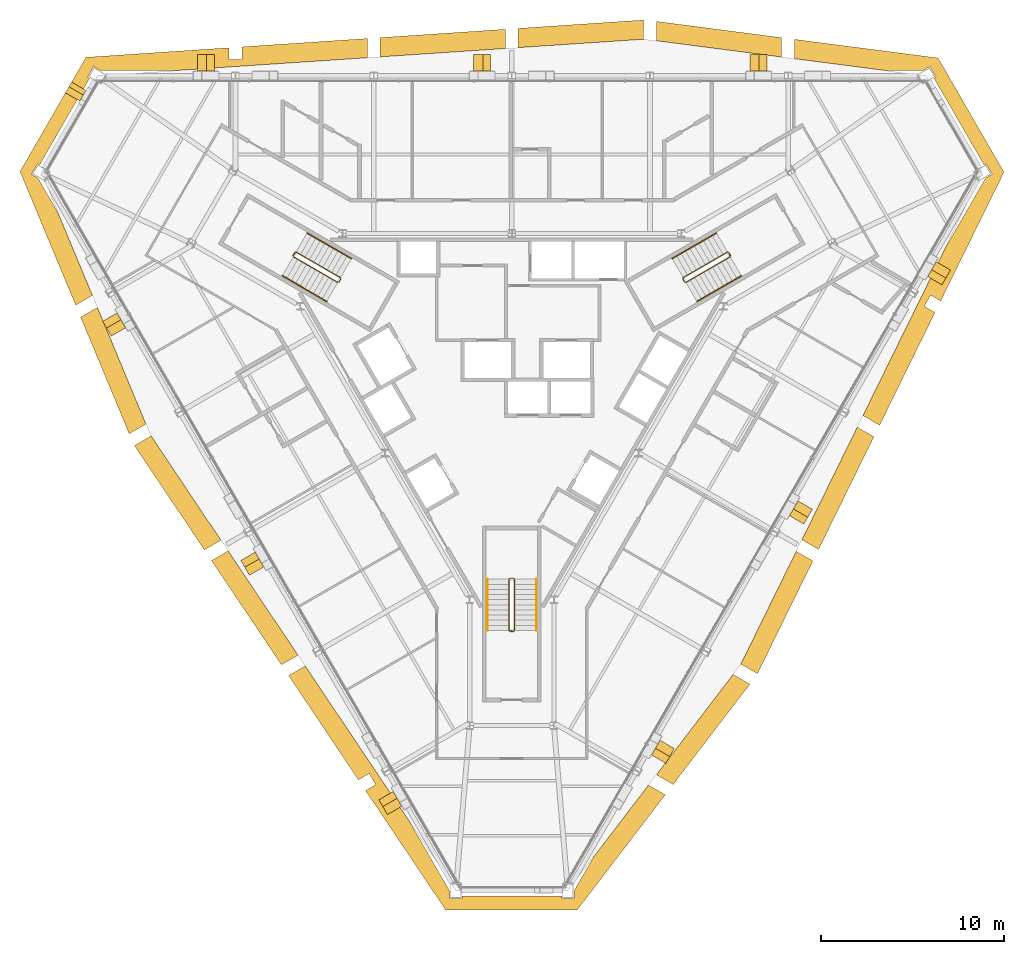
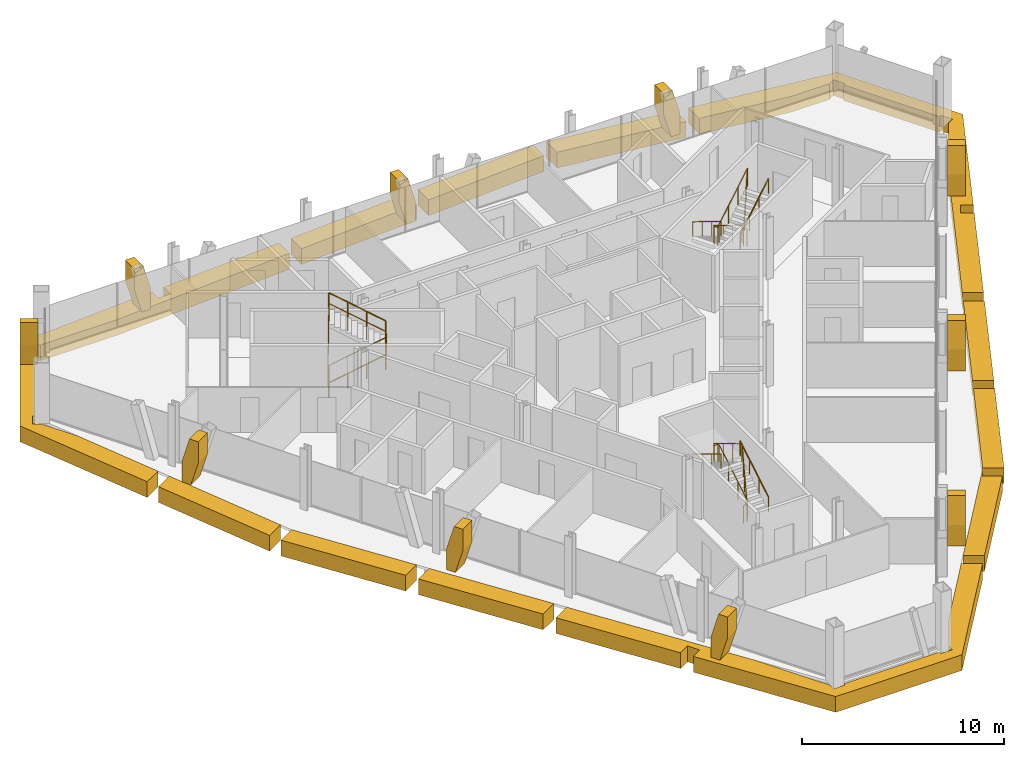
# One storey, part 13 of 13: 22 coverings, 9 railings.
"""IFC4 building model written with IfcOpenShell, lengths in metres."""

from ifc_helpers import new_model, si_unit, direction, frame, origin, origin_2d, place, context, subcontext, project, spatial, polyline, circle, outline, extrude, material, layer, layer_set, type_object, element, save


model = new_model("IFC4")

# Units and contexts
model_context = context("Model", 3, precision=1e-05, world=origin(), true_north=direction((0.0, 1.0)))
body_context = subcontext(model_context, "Body", "Model", "MODEL_VIEW")
ifc_project = project(units=[si_unit("LENGTHUNIT", "METRE"), si_unit("AREAUNIT", "SQUARE_METRE"), si_unit("VOLUMEUNIT", "CUBIC_METRE"), si_unit("PLANEANGLEUNIT", "RADIAN"), si_unit("MASSUNIT", "GRAM", prefix="KILO")], contexts=[model_context])

# Site, building, storey
site_placement = place(None, origin())
site = spatial("IfcSite", under=ifc_project, at=site_placement, CompositionType="ELEMENT")
building_placement = place(site_placement, origin())
building = spatial("IfcBuilding", under=site, at=building_placement, Name="Verrane Prism Tower", CompositionType="ELEMENT")
storey_placement = place(building_placement, frame((0.0, 0.0, 152.5)))
storey = spatial("IfcBuildingStorey", under=building, at=storey_placement, Name="L37", CompositionType="ELEMENT", Elevation=152.5)

# Railings
ifc_material_1 = material(Name="Steel A36 rail and posts, no infill", Category="steel")
railing_type_1 = type_object("IfcRailingType", Name="Stair guard 1100 steel rail and posts", PredefinedType="GUARDRAIL", material=ifc_material_1)
railing_1_placement = place(storey_placement, frame((11.78955078125, 6.97998046875, 0.168212890625)))
element("IfcRailing", 1, at=railing_1_placement, inside=storey, type_object=railing_type_1, Name="Stair 1 guard", PredefinedType="GUARDRAIL", context=body_context, shape_type="SweptSolid", body=[
    extrude(circle(Radius=0.02392578125, at=origin_2d()), frame((0.0, 0.0, 1.076171875), z_axis=(-0.742366697286, -0.42866220388, 0.514917859203), x_axis=(0.500049511043, -0.865996816683, 0.0)), (0.0, 0.0, 1.0), 3.266357421875),
    extrude(circle(Radius=0.02392578125, at=origin_2d()), frame((-2.4248046875, -1.400146484375, 2.7578125), z_axis=(-0.259601060869, -0.965715946433, 0.0), x_axis=(0.965715946433, -0.259601060869, 0.0)), (0.0, 0.0, 1.0), 0.070556640625),
    extrude(circle(Radius=0.02392578125, at=origin_2d()), frame((-2.443115234375, -1.46826171875, 2.7578125), z_axis=(0.499158860599, -0.866510491504, 0.0), x_axis=(0.866510491504, 0.499158860599, 0.0)), (0.0, 0.0, 1.0), 0.199951171875),
    extrude(circle(Radius=0.02392578125, at=origin_2d()), frame((-2.34326171875, -1.6416015625, 2.7578125), z_axis=(0.375047803403, -0.100459233054, 0.92154603122), x_axis=(0.258736085224, 0.965948051503, 0.0)), (0.0, 0.0, 1.0), 0.182373046875),
    extrude(circle(Radius=0.02392578125, at=origin_2d()), frame((-2.27490234375, -1.659912109375, 2.92578125), z_axis=(0.742366697286, 0.42866220388, 0.514917859203), x_axis=(-0.500049511043, 0.865996816683, 0.0)), (0.0, 0.0, 1.0), 3.266357421875),
    extrude(circle(Radius=0.02392578125, at=origin_2d()), frame((0.14990234375, -0.259765625, 4.60791015625), z_axis=(-0.021986835041, 0.065104730107, -0.997636182785), x_axis=(-0.947430582667, -0.3199613899, 0.0)), (0.0, 0.0, 1.0), 3.708740234375),
    extrude(circle(Radius=0.02392578125, at=origin_2d()), frame((0.068359375, -0.018310546875, 0.90771484375), z_axis=(0.499158860599, -0.866510491504, 0.0), x_axis=(0.866510491504, 0.499158860599, 0.0)), (0.0, 0.0, 1.0), 0.199951171875),
    extrude(circle(Radius=0.02099609375, at=origin_2d()), origin(), (0.0, 0.0, 1.0), 1.052001953125),
    extrude(circle(Radius=0.02099609375, at=origin_2d()), frame((-0.808349609375, -0.466796875, 0.560546875)), (0.0, 0.0, 1.0), 1.052001953125),
    extrude(circle(Radius=0.02099609375, at=origin_2d()), frame((-1.616455078125, -0.933349609375, 1.121337890625)), (0.0, 0.0, 1.0), 1.052001953125),
    extrude(circle(Radius=0.02099609375, at=origin_2d()), frame((-2.4248046875, -1.400146484375, 1.681884765625)), (0.0, 0.0, 1.0), 1.052001953125),
    extrude(circle(Radius=0.02099609375, at=origin_2d()), frame((-2.443115234375, -1.46826171875, 1.681884765625)), (0.0, 0.0, 1.0), 1.052001953125),
    extrude(circle(Radius=0.02099609375, at=origin_2d()), frame((-2.34326171875, -1.6416015625, 1.681884765625)), (0.0, 0.0, 1.0), 1.052001953125),
    extrude(circle(Radius=0.02099609375, at=origin_2d()), frame((-2.27490234375, -1.659912109375, 1.849853515625)), (0.0, 0.0, 1.0), 1.052001953125),
    extrude(circle(Radius=0.02099609375, at=origin_2d()), frame((-1.466552734375, -1.193115234375, 2.410400390625)), (0.0, 0.0, 1.0), 1.052001953125),
    extrude(circle(Radius=0.02099609375, at=origin_2d()), frame((-0.658447265625, -0.7265625, 2.97119140625)), (0.0, 0.0, 1.0), 1.052001953125),
    extrude(circle(Radius=0.02099609375, at=origin_2d()), frame((0.14990234375, -0.259765625, 3.53173828125)), (0.0, 0.0, 1.0), 1.052001953125),
    extrude(circle(Radius=0.02099609375, at=origin_2d()), frame((0.12939453125, -0.199462890625, 2.606689453125)), (0.0, 0.0, 1.0), 1.052001953125),
    extrude(circle(Radius=0.02099609375, at=origin_2d()), frame((0.109130859375, -0.13916015625, 1.681640625)), (0.0, 0.0, 1.0), 1.052001953125),
    extrude(circle(Radius=0.02099609375, at=origin_2d()), frame((0.0888671875, -0.07861328125, 0.7568359375)), (0.0, 0.0, 1.0), 1.052001953125),
    extrude(circle(Radius=0.02099609375, at=origin_2d()), frame((0.068359375, -0.018310546875, -0.168212890625)), (0.0, 0.0, 1.0), 1.052001953125),
    extrude(circle(Radius=0.02099609375, at=origin_2d()), frame((0.168212890625, -0.191650390625, -0.168212890625)), (0.0, 0.0, 1.0), 1.052001953125),
])
railing_2_placement = place(storey_placement, frame((-11.939453125, 6.72021484375, 0.168212890625)))
element("IfcRailing", 2, at=railing_2_placement, inside=storey, type_object=railing_type_1, Name="Stair 2 guard", PredefinedType="GUARDRAIL", context=body_context, shape_type="SweptSolid", body=[
    extrude(circle(Radius=0.02392578125, at=origin_2d()), frame((0.0, 0.0, 1.076171875), z_axis=(0.742366697286, -0.42866220388, 0.514917859203), x_axis=(0.500049511043, 0.865996816683, 0.0)), (0.0, 0.0, 1.0), 3.266357421875),
    extrude(circle(Radius=0.02392578125, at=origin_2d()), frame((2.4248046875, -1.400146484375, 2.7578125), z_axis=(0.965948051503, 0.258736085224, 0.0), x_axis=(-0.258736085224, 0.965948051503, 0.0)), (0.0, 0.0, 1.0), 0.07080078125),
    extrude(circle(Radius=0.02392578125, at=origin_2d()), frame((2.4931640625, -1.3818359375, 2.7578125), z_axis=(0.499158860599, 0.866510491504, 0.0), x_axis=(-0.866510491504, 0.499158860599, 0.0)), (0.0, 0.0, 1.0), 0.199951171875),
    extrude(circle(Radius=0.02392578125, at=origin_2d()), frame((2.593017578125, -1.20849609375, 2.7578125), z_axis=(-0.10050964758, 0.373895888998, 0.922008500467), x_axis=(-0.965715946433, -0.259601060869, 0.0)), (0.0, 0.0, 1.0), 0.18212890625),
    extrude(circle(Radius=0.02392578125, at=origin_2d()), frame((2.57470703125, -1.140380859375, 2.92578125), z_axis=(-0.742366697286, 0.42866220388, 0.514917859203), x_axis=(-0.500049511043, -0.865996816683, 0.0)), (0.0, 0.0, 1.0), 3.266357421875),
    extrude(circle(Radius=0.02392578125, at=origin_2d()), frame((0.14990234375, 0.259765625, 4.60791015625), z_axis=(-0.04535595117, -0.051675503147, -0.99763343973), x_axis=(0.751567565678, -0.659656118156, 0.0)), (0.0, 0.0, 1.0), 3.708740234375),
    extrude(circle(Radius=0.02392578125, at=origin_2d()), frame((-0.018310546875, 0.068115234375, 0.90771484375), z_axis=(0.499158860599, 0.866510491504, 0.0), x_axis=(-0.866510491504, 0.499158860599, 0.0)), (0.0, 0.0, 1.0), 0.199951171875),
    extrude(circle(Radius=0.02099609375, at=origin_2d()), origin(), (0.0, 0.0, 1.0), 1.052001953125),
    extrude(circle(Radius=0.02099609375, at=origin_2d()), frame((0.808349609375, -0.466796875, 0.560546875)), (0.0, 0.0, 1.0), 1.052001953125),
    extrude(circle(Radius=0.02099609375, at=origin_2d()), frame((1.616455078125, -0.933349609375, 1.121337890625)), (0.0, 0.0, 1.0), 1.052001953125),
    extrude(circle(Radius=0.02099609375, at=origin_2d()), frame((2.4248046875, -1.400146484375, 1.681884765625)), (0.0, 0.0, 1.0), 1.052001953125),
    extrude(circle(Radius=0.02099609375, at=origin_2d()), frame((2.4931640625, -1.3818359375, 1.681884765625)), (0.0, 0.0, 1.0), 1.052001953125),
    extrude(circle(Radius=0.02099609375, at=origin_2d()), frame((2.593017578125, -1.20849609375, 1.681884765625)), (0.0, 0.0, 1.0), 1.052001953125),
    extrude(circle(Radius=0.02099609375, at=origin_2d()), frame((2.57470703125, -1.140380859375, 1.849853515625)), (0.0, 0.0, 1.0), 1.052001953125),
    extrude(circle(Radius=0.02099609375, at=origin_2d()), frame((1.766357421875, -0.673583984375, 2.410400390625)), (0.0, 0.0, 1.0), 1.052001953125),
    extrude(circle(Radius=0.02099609375, at=origin_2d()), frame((0.958251953125, -0.20703125, 2.97119140625)), (0.0, 0.0, 1.0), 1.052001953125),
    extrude(circle(Radius=0.02099609375, at=origin_2d()), frame((0.14990234375, 0.259765625, 3.53173828125)), (0.0, 0.0, 1.0), 1.052001953125),
    extrude(circle(Radius=0.02099609375, at=origin_2d()), frame((0.10791015625, 0.2119140625, 2.606689453125)), (0.0, 0.0, 1.0), 1.052001953125),
    extrude(circle(Radius=0.02099609375, at=origin_2d()), frame((0.06591796875, 0.1640625, 1.681640625)), (0.0, 0.0, 1.0), 1.052001953125),
    extrude(circle(Radius=0.02099609375, at=origin_2d()), frame((0.023681640625, 0.115966796875, 0.7568359375)), (0.0, 0.0, 1.0), 1.052001953125),
    extrude(circle(Radius=0.02099609375, at=origin_2d()), frame((-0.018310546875, 0.068115234375, -0.168212890625)), (0.0, 0.0, 1.0), 1.052001953125),
    extrude(circle(Radius=0.02099609375, at=origin_2d()), frame((0.08154296875, 0.241455078125, -0.168212890625)), (0.0, 0.0, 1.0), 1.052001953125),
])
railing_3_placement = place(storey_placement, frame((0.14990234375, -13.699951171875, 0.168212890625)))
element("IfcRailing", 3, at=railing_3_placement, inside=storey, type_object=railing_type_1, Name="Stair 3 guard", PredefinedType="GUARDRAIL", context=body_context, shape_type="SweptSolid", body=[
    extrude(circle(Radius=0.02392578125, at=origin_2d()), frame((0.0, 0.0, 1.076171875), z_axis=(0.0, 0.857242210791, 0.514913383045), x_axis=(-1.0, 0.0, 0.0)), (0.0, 0.0, 1.0), 3.266357421875),
    extrude(circle(Radius=0.02392578125, at=origin_2d()), frame((0.0, 2.800048828125, 2.7578125), z_axis=(-0.707106781187, 0.707106781187, 0.0), x_axis=(-0.707106781187, -0.707106781187, 0.0)), (0.0, 0.0, 1.0), 0.0703125),
    extrude(circle(Radius=0.02392578125, at=origin_2d()), frame((-0.0498046875, 2.849853515625, 2.7578125), z_axis=(-1.0, 0.0, 0.0), x_axis=(0.0, -1.0, 0.0)), (0.0, 0.0, 1.0), 0.2001953125),
    extrude(circle(Radius=0.02392578125, at=origin_2d()), frame((-0.25, 2.849853515625, 2.7578125), z_axis=(-0.273443704961, -0.273443704961, 0.922202299083), x_axis=(0.707106781187, -0.707106781187, 0.0)), (0.0, 0.0, 1.0), 0.18212890625),
    extrude(circle(Radius=0.02392578125, at=origin_2d()), frame((-0.2998046875, 2.800048828125, 2.92578125), z_axis=(0.0, -0.857242210791, 0.514913383045), x_axis=(1.0, 0.0, 0.0)), (0.0, 0.0, 1.0), 3.266357421875),
    extrude(circle(Radius=0.02392578125, at=origin_2d()), frame((-0.2998046875, 0.0, 4.60791015625), z_axis=(0.067408604812, -0.013494886706, -0.997634185476), x_axis=(0.196300278283, 0.98054382908, 0.0)), (0.0, 0.0, 1.0), 3.708740234375),
    extrude(circle(Radius=0.02392578125, at=origin_2d()), frame((-0.0498046875, -0.050048828125, 0.90771484375), z_axis=(-1.0, 0.0, 0.0), x_axis=(0.0, -1.0, 0.0)), (0.0, 0.0, 1.0), 0.2001953125),
    extrude(circle(Radius=0.02099609375, at=origin_2d()), origin(), (0.0, 0.0, 1.0), 1.052001953125),
    extrude(circle(Radius=0.02099609375, at=origin_2d()), frame((0.0, 0.933349609375, 0.560546875)), (0.0, 0.0, 1.0), 1.052001953125),
    extrude(circle(Radius=0.02099609375, at=origin_2d()), frame((0.0, 1.86669921875, 1.121337890625)), (0.0, 0.0, 1.0), 1.052001953125),
    extrude(circle(Radius=0.02099609375, at=origin_2d()), frame((0.0, 2.800048828125, 1.681884765625)), (0.0, 0.0, 1.0), 1.052001953125),
    extrude(circle(Radius=0.02099609375, at=origin_2d()), frame((-0.0498046875, 2.849853515625, 1.681884765625)), (0.0, 0.0, 1.0), 1.052001953125),
    extrude(circle(Radius=0.02099609375, at=origin_2d()), frame((-0.25, 2.849853515625, 1.681884765625)), (0.0, 0.0, 1.0), 1.052001953125),
    extrude(circle(Radius=0.02099609375, at=origin_2d()), frame((-0.2998046875, 2.800048828125, 1.849853515625)), (0.0, 0.0, 1.0), 1.052001953125),
    extrude(circle(Radius=0.02099609375, at=origin_2d()), frame((-0.2998046875, 1.86669921875, 2.410400390625)), (0.0, 0.0, 1.0), 1.052001953125),
    extrude(circle(Radius=0.02099609375, at=origin_2d()), frame((-0.2998046875, 0.933349609375, 2.97119140625)), (0.0, 0.0, 1.0), 1.052001953125),
    extrude(circle(Radius=0.02099609375, at=origin_2d()), frame((-0.2998046875, 0.0, 3.53173828125)), (0.0, 0.0, 1.0), 1.052001953125),
    extrude(circle(Radius=0.02099609375, at=origin_2d()), frame((-0.2373046875, -0.012451171875, 2.606689453125)), (0.0, 0.0, 1.0), 1.052001953125),
    extrude(circle(Radius=0.02099609375, at=origin_2d()), frame((-0.1748046875, -0.02490234375, 1.681640625)), (0.0, 0.0, 1.0), 1.052001953125),
    extrude(circle(Radius=0.02099609375, at=origin_2d()), frame((-0.1123046875, -0.03759765625, 0.7568359375)), (0.0, 0.0, 1.0), 1.052001953125),
    extrude(circle(Radius=0.02099609375, at=origin_2d()), frame((-0.0498046875, -0.050048828125, -0.168212890625)), (0.0, 0.0, 1.0), 1.052001953125),
    extrude(circle(Radius=0.02099609375, at=origin_2d()), frame((-0.25, -0.050048828125, -0.168212890625)), (0.0, 0.0, 1.0), 1.052001953125),
])
ifc_material_2 = material(Name="Steel A36 tube", Category="steel")
railing_type_2 = type_object("IfcRailingType", Name="Stair handrail 900 steel tube", PredefinedType="HANDRAIL", material=ifc_material_2)
railing_4_placement = place(storey_placement, frame((11.189453125, 8.01904296875, 0.168212890625)))
element("IfcRailing", 4, at=railing_4_placement, inside=storey, type_object=railing_type_2, Name="Stair 1 handrail", PredefinedType="HANDRAIL", context=body_context, shape_type="SweptSolid", body=[
    extrude(circle(Radius=0.02392578125, at=origin_2d()), frame((0.0, 0.0, 0.8759765625), z_axis=(-0.742390482028, -0.42860119049, 0.514934356695), x_axis=(0.49998411664, -0.866034573852, 0.0)), (0.0, 0.0, 1.0), 3.26611328125),
    extrude(circle(Radius=0.02099609375, at=origin_2d()), origin(), (0.0, 0.0, 1.0), 0.851806640625),
    extrude(circle(Radius=0.02099609375, at=origin_2d()), frame((-0.808349609375, -0.466552734375, 0.560546875)), (0.0, 0.0, 1.0), 0.851806640625),
    extrude(circle(Radius=0.02099609375, at=origin_2d()), frame((-1.616455078125, -0.933349609375, 1.121337890625)), (0.0, 0.0, 1.0), 0.851806640625),
    extrude(circle(Radius=0.02099609375, at=origin_2d()), frame((-2.4248046875, -1.39990234375, 1.681884765625)), (0.0, 0.0, 1.0), 0.851806640625),
])
railing_5_placement = place(storey_placement, frame((10.11474609375, 4.28076171875, 2.01806640625)))
element("IfcRailing", 5, at=railing_5_placement, inside=storey, type_object=railing_type_2, Name="Stair 1 handrail", PredefinedType="HANDRAIL", context=body_context, shape_type="SweptSolid", body=[
    extrude(circle(Radius=0.02392578125, at=origin_2d()), frame((0.0, 0.0, 0.8759765625), z_axis=(0.742366697286, 0.42866220388, 0.514917859203), x_axis=(-0.500049511043, 0.865996816683, 0.0)), (0.0, 0.0, 1.0), 3.266357421875),
    extrude(circle(Radius=0.02099609375, at=origin_2d()), origin(), (0.0, 0.0, 1.0), 0.851806640625),
    extrude(circle(Radius=0.02099609375, at=origin_2d()), frame((0.808349609375, 0.466796875, 0.560546875)), (0.0, 0.0, 1.0), 0.851806640625),
    extrude(circle(Radius=0.02099609375, at=origin_2d()), frame((1.616455078125, 0.933349609375, 1.121337890625)), (0.0, 0.0, 1.0), 0.851806640625),
    extrude(circle(Radius=0.02099609375, at=origin_2d()), frame((2.4248046875, 1.400146484375, 1.681884765625)), (0.0, 0.0, 1.0), 0.851806640625),
])
railing_6_placement = place(storey_placement, frame((-12.53955078125, 5.680908203125, 0.168212890625)))
element("IfcRailing", 6, at=railing_6_placement, inside=storey, type_object=railing_type_2, Name="Stair 2 handrail", PredefinedType="HANDRAIL", context=body_context, shape_type="SweptSolid", body=[
    extrude(circle(Radius=0.02392578125, at=origin_2d()), frame((0.0, 0.0, 0.8759765625), z_axis=(0.742366697286, -0.42866220388, 0.514917859203), x_axis=(0.500049511043, 0.865996816683, 0.0)), (0.0, 0.0, 1.0), 3.266357421875),
    extrude(circle(Radius=0.02099609375, at=origin_2d()), origin(), (0.0, 0.0, 1.0), 0.851806640625),
    extrude(circle(Radius=0.02099609375, at=origin_2d()), frame((0.808349609375, -0.466796875, 0.560546875)), (0.0, 0.0, 1.0), 0.851806640625),
    extrude(circle(Radius=0.02099609375, at=origin_2d()), frame((1.616455078125, -0.933349609375, 1.121337890625)), (0.0, 0.0, 1.0), 0.851806640625),
    extrude(circle(Radius=0.02099609375, at=origin_2d()), frame((2.4248046875, -1.400146484375, 1.681884765625)), (0.0, 0.0, 1.0), 0.851806640625),
])
railing_7_placement = place(storey_placement, frame((-8.7646484375, 6.619140625, 2.01806640625)))
element("IfcRailing", 7, at=railing_7_placement, inside=storey, type_object=railing_type_2, Name="Stair 2 handrail", PredefinedType="HANDRAIL", context=body_context, shape_type="SweptSolid", body=[
    extrude(circle(Radius=0.02392578125, at=origin_2d()), frame((0.0, 0.0, 0.8759765625), z_axis=(-0.742390482028, 0.42860119049, 0.514934356695), x_axis=(-0.49998411664, -0.866034573852, 0.0)), (0.0, 0.0, 1.0), 3.26611328125),
    extrude(circle(Radius=0.02099609375, at=origin_2d()), origin(), (0.0, 0.0, 1.0), 0.851806640625),
    extrude(circle(Radius=0.02099609375, at=origin_2d()), frame((-0.808349609375, 0.466552734375, 0.560546875)), (0.0, 0.0, 1.0), 0.851806640625),
    extrude(circle(Radius=0.02099609375, at=origin_2d()), frame((-1.616455078125, 0.933349609375, 1.121337890625)), (0.0, 0.0, 1.0), 0.851806640625),
    extrude(circle(Radius=0.02099609375, at=origin_2d()), frame((-2.4248046875, 1.39990234375, 1.681884765625)), (0.0, 0.0, 1.0), 0.851806640625),
])
railing_8_placement = place(storey_placement, frame((1.35009765625, -13.699951171875, 0.168212890625)))
element("IfcRailing", 8, at=railing_8_placement, inside=storey, type_object=railing_type_2, Name="Stair 3 handrail", PredefinedType="HANDRAIL", context=body_context, shape_type="SweptSolid", body=[
    extrude(circle(Radius=0.02392578125, at=origin_2d()), frame((0.0, 0.0, 0.8759765625), z_axis=(0.0, 0.857242210791, 0.514913383045), x_axis=(-1.0, 0.0, 0.0)), (0.0, 0.0, 1.0), 3.266357421875),
    extrude(circle(Radius=0.02099609375, at=origin_2d()), origin(), (0.0, 0.0, 1.0), 0.851806640625),
    extrude(circle(Radius=0.02099609375, at=origin_2d()), frame((0.0, 0.933349609375, 0.560546875)), (0.0, 0.0, 1.0), 0.851806640625),
    extrude(circle(Radius=0.02099609375, at=origin_2d()), frame((0.0, 1.86669921875, 1.121337890625)), (0.0, 0.0, 1.0), 0.851806640625),
    extrude(circle(Radius=0.02099609375, at=origin_2d()), frame((0.0, 2.800048828125, 1.681884765625)), (0.0, 0.0, 1.0), 0.851806640625),
])
railing_9_placement = place(storey_placement, frame((-1.35009765625, -10.89990234375, 2.01806640625)))
element("IfcRailing", 9, at=railing_9_placement, inside=storey, type_object=railing_type_2, Name="Stair 3 handrail", PredefinedType="HANDRAIL", context=body_context, shape_type="SweptSolid", body=[
    extrude(circle(Radius=0.02392578125, at=origin_2d()), frame((0.0, 0.0, 0.8759765625), z_axis=(0.0, -0.857242210791, 0.514913383045), x_axis=(1.0, 0.0, 0.0)), (0.0, 0.0, 1.0), 3.266357421875),
    extrude(circle(Radius=0.02099609375, at=origin_2d()), origin(), (0.0, 0.0, 1.0), 0.851806640625),
    extrude(circle(Radius=0.02099609375, at=origin_2d()), frame((0.0, -0.933349609375, 0.560546875)), (0.0, 0.0, 1.0), 0.851806640625),
    extrude(circle(Radius=0.02099609375, at=origin_2d()), frame((0.0, -1.86669921875, 1.121337890625)), (0.0, 0.0, 1.0), 0.851806640625),
    extrude(circle(Radius=0.02099609375, at=origin_2d()), frame((0.0, -2.800048828125, 1.681884765625)), (0.0, 0.0, 1.0), 0.851806640625),
])

# Coverings
ifc_material_3 = material(Name="Warm limestone cladding", Category="masonry")
ifc_layer_1 = layer(ifc_material_3, 0.89990234375)
ifc_layer_set_1 = layer_set([ifc_layer_1], Name="Stone brace fin 900")
covering_type_1 = type_object("IfcCoveringType", Name="Stone brace fin 900", PredefinedType="CLADDING", material=ifc_layer_set_1)
for number, where, z_axis, x_axis, name in (
    (10, (13.947998046875, 17.31396484375, 0.0), (0.0, 0.0, 1.0), (-1.0, 0.0, 0.0), "Stone brace fin N2 L37"),
    (11, (-1.152099609375, 17.31396484375, 0.0), (0.0, 0.0, 1.0), (-1.0, 0.0, 0.0), "Stone brace fin N4 L37"),
):
    element("IfcCovering", number, at=place(storey_placement, frame(where, z_axis=z_axis, x_axis=x_axis)), inside=storey, type_object=covering_type_1, Name=name, PredefinedType="CLADDING", context=body_context, shape_type="SweptSolid", body=[
        extrude(outline(polyline([(0.931640625, 2.75), (0.427490234375, 2.75), (0.0, 1.283203125), (0.0, 0.0), (0.50048828125, 0.0), (0.931640625, 1.4794921875), (0.931640625, 2.75)])), frame((0.0, 0.449951171875, 0.0), z_axis=(0.0, -1.0, 0.0), x_axis=(1.0, 0.0, 0.0)), (0.0, 0.0, 1.0), 0.89990234375),
    ])
covering_1_placement = place(storey_placement, frame((-16.25048828125, 17.31396484375, 0.0), z_axis=(0.0, 0.0, 1.0), x_axis=(-1.0, 0.0, 0.0)))
element("IfcCovering", 12, at=covering_1_placement, inside=storey, type_object=covering_type_1, Name="Stone brace fin N6 L37", PredefinedType="CLADDING", context=body_context, shape_type="SweptSolid", body=[
    extrude(outline(polyline([(0.930419921875, 2.75), (0.427001953125, 2.75), (0.0, 1.283203125), (0.0, 0.0), (0.499755859375, 0.0), (0.930419921875, 1.4794921875), (0.930419921875, 2.75)])), frame((0.0, 0.449951171875, 0.0), z_axis=(0.0, -1.0, 0.0), x_axis=(1.0, 0.0, 0.0)), (0.0, 0.0, 1.0), 0.89990234375),
])
for number, where, z_axis, x_axis, name in (
    (13, (-21.964599609375, 3.42041015625, 0.0), (0.0, 0.0, 1.0), (0.499268611457, -0.866447259568, 0.0), "Stone brace fin SW2 L37"),
    (14, (-14.414794921875, -9.6494140625, 0.0), (0.0, 0.0, 1.0), (0.499465326831, -0.866333877494, 0.0), "Stone brace fin SW4 L37"),
):
    element("IfcCovering", number, at=place(storey_placement, frame(where, z_axis=z_axis, x_axis=x_axis)), inside=storey, type_object=covering_type_1, Name=name, PredefinedType="CLADDING", context=body_context, shape_type="SweptSolid", body=[
        extrude(outline(polyline([(0.931640625, 2.75), (0.427490234375, 2.75), (0.0, 1.283203125), (0.0, 0.0), (0.50048828125, 0.0), (0.931640625, 1.4794921875), (0.931640625, 2.75)])), frame((0.0, 0.449951171875, 0.0), z_axis=(0.0, -1.0, 0.0), x_axis=(1.0, 0.0, 0.0)), (0.0, 0.0, 1.0), 0.89990234375),
    ])
covering_2_placement = place(storey_placement, frame((-6.87255859375, -22.72900390625, 0.0), z_axis=(0.0, 0.0, 1.0), x_axis=(0.501015601034, -0.865438251708, 0.0)))
element("IfcCovering", 15, at=covering_2_placement, inside=storey, type_object=covering_type_1, Name="Stone brace fin SW6 L37", PredefinedType="CLADDING", context=body_context, shape_type="SweptSolid", body=[
    extrude(outline(polyline([(0.930908203125, 2.75), (0.42724609375, 2.75), (0.0, 1.283203125), (0.0, 0.0), (0.5, 0.0), (0.930908203125, 1.4794921875), (0.930908203125, 2.75)])), frame((0.0, 0.449951171875, 0.0), z_axis=(0.0, -1.0, 0.0), x_axis=(1.0, 0.0, 0.0)), (0.0, 0.0, 1.0), 0.89990234375),
])
covering_3_placement = place(storey_placement, frame((8.025146484375, -20.733642578125, 0.0), z_axis=(0.0, 0.0, 1.0), x_axis=(0.499465326831, 0.866333877494, 0.0)))
element("IfcCovering", 16, at=covering_3_placement, inside=storey, type_object=covering_type_1, Name="Stone brace fin SE2 L37", PredefinedType="CLADDING", context=body_context, shape_type="SweptSolid", body=[
    extrude(outline(polyline([(0.931640625, 2.75), (0.427490234375, 2.75), (0.0, 1.283203125), (0.0, 0.0), (0.50048828125, 0.0), (0.931640625, 1.4794921875), (0.931640625, 2.75)])), frame((0.0, 0.449951171875, 0.0), z_axis=(0.0, -1.0, 0.0), x_axis=(1.0, 0.0, 0.0)), (0.0, 0.0, 1.0), 0.89990234375),
])
for number, where, z_axis, x_axis, name in (
    (17, (15.566162109375, -7.65625, 0.0), (0.0, 0.0, 1.0), (0.500932883108, 0.865486133119, 0.0), "Stone brace fin SE4 L37"),
    (18, (23.1162109375, 5.413818359375, 0.0), (0.0, 0.0, 1.0), (0.500932883108, 0.865486133119, 0.0), "Stone brace fin SE6 L37"),
):
    element("IfcCovering", number, at=place(storey_placement, frame(where, z_axis=z_axis, x_axis=x_axis)), inside=storey, type_object=covering_type_1, Name=name, PredefinedType="CLADDING", context=body_context, shape_type="SweptSolid", body=[
        extrude(outline(polyline([(0.930908203125, 2.75), (0.42724609375, 2.75), (0.0, 1.283203125), (0.0, 0.0), (0.5, 0.0), (0.930908203125, 1.4794921875), (0.930908203125, 2.75)])), frame((0.0, 0.449951171875, 0.0), z_axis=(0.0, -1.0, 0.0), x_axis=(1.0, 0.0, 0.0)), (0.0, 0.0, 1.0), 0.89990234375),
    ])
covering_4_placement = place(storey_placement, frame((-23.665771484375, 16.039306640625, 0.0), z_axis=(0.0, 0.0, 1.0), x_axis=(-0.500651213177, -0.865649099084, 0.0)))
element("IfcCovering", 19, at=covering_4_placement, inside=storey, type_object=covering_type_1, Name="Stone brace fin NW1 L37", PredefinedType="CLADDING", context=body_context, shape_type="SweptSolid", body=[
    extrude(outline(polyline([(0.6748046875, 2.75), (0.292236328125, 2.75), (0.0, 1.516357421875), (0.0, 0.0), (0.351318359375, 0.0), (0.6748046875, 1.365478515625), (0.6748046875, 2.75)])), frame((0.0, 0.449951171875, 0.0), z_axis=(0.0, -1.0, 0.0), x_axis=(1.0, 0.0, 0.0)), (0.0, 0.0, 1.0), 0.89990234375),
])
ifc_material_4 = material(Name="Warm limestone cladding", Category="masonry")
ifc_layer_2 = layer(ifc_material_4, 0.449951171875)
ifc_layer_set_2 = layer_set([ifc_layer_2], Name="Stone spandrel band 450")
covering_type_2 = type_object("IfcCoveringType", Name="Stone spandrel band 450", PredefinedType="CLADDING", material=ifc_layer_set_2)
covering_5_placement = place(storey_placement, frame((0.0, 0.0, -0.949951171875)))
element("IfcCovering", 20, at=covering_5_placement, inside=storey, type_object=covering_type_2, Name="Stone spandrel band L37 part 1", PredefinedType="CLADDING", context=body_context, shape_type="SweptSolid", body=[
    extrude(outline(polyline([(3.581787109375, -28.964599609375), (8.388671875, -22.677978515625), (7.4716796875, -22.148681640625), (4.4775390625, -26.064453125), (3.389892578125, -27.9482421875), (3.389892578125, -28.340087890625), (2.72998046875, -28.340087890625), (2.72998046875, -28.214599609375), (-2.72998046875, -28.214599609375), (-2.72998046875, -28.340087890625), (-3.389892578125, -28.340087890625), (-3.389892578125, -27.9482421875), (-5.564453125, -24.181884765625), (-11.290283203125, -15.637939453125), (-12.20166015625, -16.164306640625), (-8.380859375, -21.865478515625), (-7.79052734375, -21.5244140625), (-7.4404296875, -22.130615234375), (-7.990478515625, -22.4482421875), (-3.623291015625, -28.964599609375), (3.581787109375, -28.964599609375)])), origin(), (0.0, 0.0, 1.0), 0.949951171875),
])
covering_6_placement = place(storey_placement, frame((0.0, 0.0, -0.949951171875)))
element("IfcCovering", 21, at=covering_6_placement, inside=storey, type_object=covering_type_2, Name="Stone spandrel band L37 part 2", PredefinedType="CLADDING", context=body_context, shape_type="SweptSolid", body=[
    extrude(outline(polyline([(15.445556640625, 17.544921875), (20.333740234375, 16.909912109375), (22.49951171875, 16.909912109375), (22.847412109375, 17.11083984375), (23.177490234375, 16.539306640625), (23.0673828125, 16.4755859375), (25.80419921875, 11.7353515625), (25.91748046875, 11.80078125), (26.247314453125, 11.229248046875), (25.89013671875, 11.02294921875), (23.724609375, 7.27197265625), (19.18798828125, -1.95849609375), (20.099609375, -2.48486328125), (23.12646484375, 3.674560546875), (22.539306640625, 4.013671875), (22.889404296875, 4.619873046875), (23.43603515625, 4.30419921875), (26.89599609375, 11.344482421875), (23.293212890625, 17.58447265625), (15.445556640625, 18.603759765625), (15.445556640625, 17.544921875)])), origin(), (0.0, 0.0, 1.0), 0.949951171875),
])
covering_7_placement = place(storey_placement, frame((0.0, 0.0, -0.949951171875)))
element("IfcCovering", 22, at=covering_7_placement, inside=storey, type_object=covering_type_2, Name="Stone spandrel band L37 part 3", PredefinedType="CLADDING", context=body_context, shape_type="SweptSolid", body=[
    extrude(outline(polyline([(-22.917236328125, 4.603759765625), (-24.811279296875, 9.154541015625), (-25.89013671875, 11.02294921875), (-26.247314453125, 11.229248046875), (-25.91748046875, 11.80078125), (-25.80419921875, 11.7353515625), (-23.0673828125, 16.4755859375), (-23.177490234375, 16.539306640625), (-22.847412109375, 17.11083984375), (-22.49951171875, 16.909912109375), (-18.159912109375, 16.909912109375), (-7.897705078125, 17.5966796875), (-7.897705078125, 18.64892578125), (-14.74560546875, 18.19091796875), (-14.74560546875, 17.511962890625), (-15.445556640625, 17.511962890625), (-15.445556640625, 18.14404296875), (-23.272705078125, 17.6201171875), (-26.875244140625, 11.38037109375), (-23.833984375, 4.07421875), (-22.917236328125, 4.603759765625)])), origin(), (0.0, 0.0, 1.0), 0.949951171875),
])
covering_8_placement = place(storey_placement, frame((0.0, 0.0, -0.949951171875)))
element("IfcCovering", 23, at=covering_8_placement, inside=storey, type_object=covering_type_2, Name="Stone spandrel band L37 part 4", PredefinedType="CLADDING", context=body_context, shape_type="SweptSolid", body=[
    extrude(outline(polyline([(12.094482421875, -16.102294921875), (7.900390625, -21.587890625), (8.8173828125, -22.1171875), (13.011474609375, -16.6318359375), (12.094482421875, -16.102294921875)])), origin(), (0.0, 0.0, 1.0), 0.949951171875),
])
covering_9_placement = place(storey_placement, frame((0.0, 0.0, -0.949951171875)))
element("IfcCovering", 24, at=covering_9_placement, inside=storey, type_object=covering_type_2, Name="Stone spandrel band L37 part 5", PredefinedType="CLADDING", context=body_context, shape_type="SweptSolid", body=[
    extrude(outline(polyline([(7.897705078125, 18.525390625), (14.74560546875, 17.635986328125), (14.74560546875, 18.694580078125), (7.897705078125, 19.583984375), (7.897705078125, 18.525390625)])), origin(), (0.0, 0.0, 1.0), 0.949951171875),
])
covering_10_placement = place(storey_placement, frame((0.0, 0.0, -0.949951171875)))
element("IfcCovering", 25, at=covering_10_placement, inside=storey, type_object=covering_type_2, Name="Stone spandrel band L37 part 6", PredefinedType="CLADDING", context=body_context, shape_type="SweptSolid", body=[
    extrude(outline(polyline([(-20.9091796875, -2.952392578125), (-19.9921875, -2.423095703125), (-22.64599609375, 3.9521484375), (-23.56298828125, 3.422607421875), (-20.9091796875, -2.952392578125)])), origin(), (0.0, 0.0, 1.0), 0.949951171875),
])
covering_11_placement = place(storey_placement, frame((0.0, 0.0, -0.949951171875)))
element("IfcCovering", 26, at=covering_11_placement, inside=storey, type_object=covering_type_2, Name="Stone spandrel band L37 part 7", PredefinedType="CLADDING", context=body_context, shape_type="SweptSolid", body=[
    extrude(outline(polyline([(-16.803466796875, -9.29736328125), (-15.89208984375, -8.771240234375), (-19.712890625, -3.06982421875), (-20.624267578125, -3.59619140625), (-16.803466796875, -9.29736328125)])), origin(), (0.0, 0.0, 1.0), 0.949951171875),
])
covering_12_placement = place(storey_placement, frame((0.0, 0.0, -0.949951171875)))
element("IfcCovering", 27, at=covering_12_placement, inside=storey, type_object=covering_type_2, Name="Stone spandrel band L37 part 8", PredefinedType="CLADDING", context=body_context, shape_type="SweptSolid", body=[
    extrude(outline(polyline([(-11.680908203125, -15.05517578125), (-15.501708984375, -9.35400390625), (-16.412841796875, -9.880126953125), (-12.59228515625, -15.581298828125), (-11.680908203125, -15.05517578125)])), origin(), (0.0, 0.0, 1.0), 0.949951171875),
])
covering_13_placement = place(storey_placement, frame((0.0, 0.0, -0.949951171875)))
element("IfcCovering", 28, at=covering_13_placement, inside=storey, type_object=covering_type_2, Name="Stone spandrel band L37 part 9", PredefinedType="CLADDING", context=body_context, shape_type="SweptSolid", body=[
    extrude(outline(polyline([(16.45361328125, -9.903564453125), (15.5419921875, -9.37744140625), (12.514892578125, -15.536865234375), (13.426513671875, -16.06298828125), (16.45361328125, -9.903564453125)])), origin(), (0.0, 0.0, 1.0), 0.949951171875),
])
covering_14_placement = place(storey_placement, frame((0.0, 0.0, -0.949951171875)))
element("IfcCovering", 29, at=covering_14_placement, inside=storey, type_object=covering_type_2, Name="Stone spandrel band L37 part 10", PredefinedType="CLADDING", context=body_context, shape_type="SweptSolid", body=[
    extrude(outline(polyline([(18.878662109375, -2.58837890625), (15.8515625, -8.747802734375), (16.762939453125, -9.27392578125), (19.7900390625, -3.114501953125), (18.878662109375, -2.58837890625)])), origin(), (0.0, 0.0, 1.0), 0.949951171875),
])
covering_15_placement = place(storey_placement, frame((0.0, 0.0, -0.949951171875)))
element("IfcCovering", 30, at=covering_15_placement, inside=storey, type_object=covering_type_2, Name="Stone spandrel band L37 part 11", PredefinedType="CLADDING", context=body_context, shape_type="SweptSolid", body=[
    extrude(outline(polyline([(0.35009765625, 18.148681640625), (7.19775390625, 18.606689453125), (7.19775390625, 19.6591796875), (0.35009765625, 19.200927734375), (0.35009765625, 18.148681640625)])), origin(), (0.0, 0.0, 1.0), 0.949951171875),
])
covering_16_placement = place(storey_placement, frame((0.0, 0.0, -0.949951171875)))
element("IfcCovering", 31, at=covering_16_placement, inside=storey, type_object=covering_type_2, Name="Stone spandrel band L37 part 12", PredefinedType="CLADDING", context=body_context, shape_type="SweptSolid", body=[
    extrude(outline(polyline([(-7.19775390625, 18.69580078125), (-7.19775390625, 17.6435546875), (-0.35009765625, 18.101806640625), (-0.35009765625, 19.154052734375), (-7.19775390625, 18.69580078125)])), origin(), (0.0, 0.0, 1.0), 0.949951171875),
])

save(model, "model.ifc")
